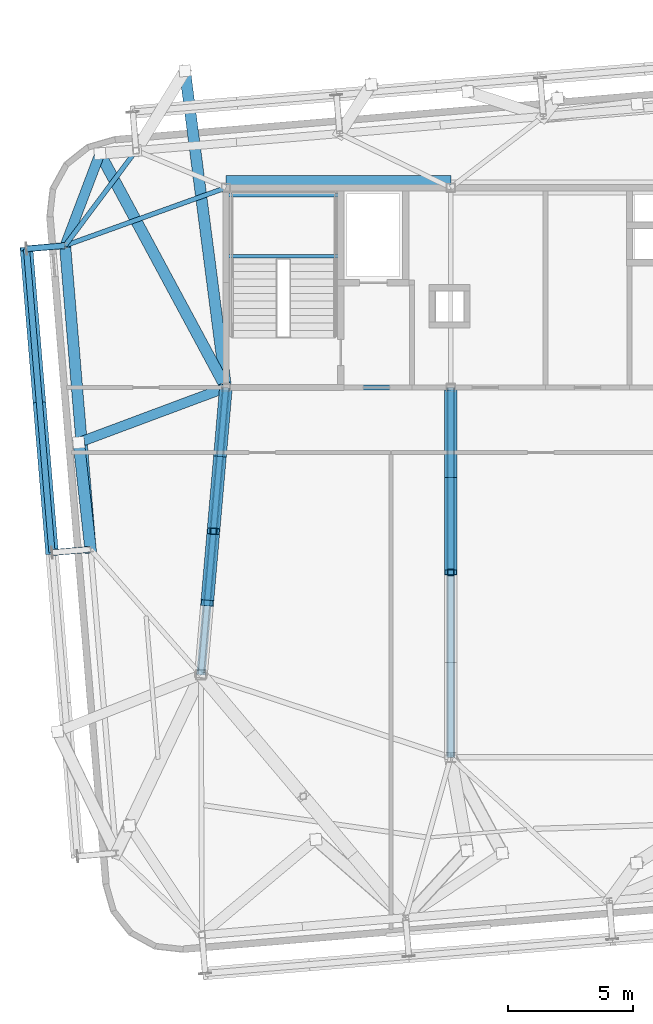
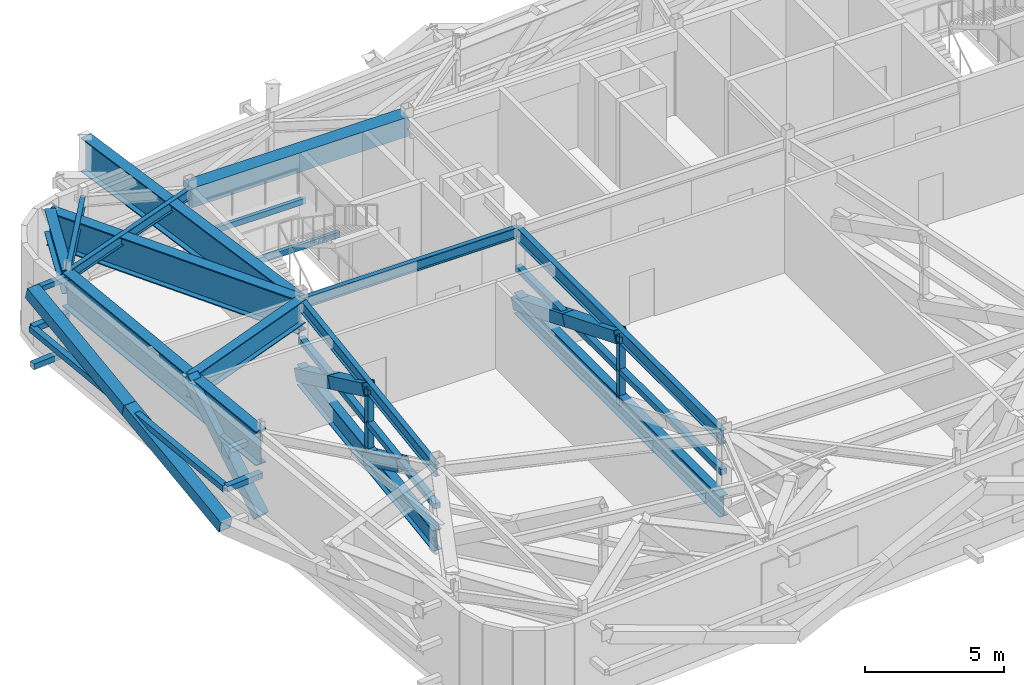
# One storey, part 9 of 26: 21 members, 13 beams.
"""IFC4 building model written with IfcOpenShell, lengths in metres."""

from ifc_helpers import new_model, si_unit, direction, frame, origin, origin_2d, place, context, subcontext, project, spatial, rectangle, hollow_rectangle, i_section, extrude, source, transform, mapped, material, material_profile, profile_set, type_object, element, save


model = new_model("IFC4")

# Units and contexts
model_context = context("Model", 3, precision=1e-05, world=origin(), true_north=direction((0.0, 1.0)))
body_context = subcontext(model_context, "Body", "Model", "MODEL_VIEW")
ifc_project = project(units=[si_unit("LENGTHUNIT", "METRE"), si_unit("AREAUNIT", "SQUARE_METRE"), si_unit("VOLUMEUNIT", "CUBIC_METRE"), si_unit("PLANEANGLEUNIT", "RADIAN"), si_unit("MASSUNIT", "GRAM", prefix="KILO")], contexts=[model_context])

# Site, building, storey
site_placement = place(None, origin())
site = spatial("IfcSite", under=ifc_project, at=site_placement, CompositionType="ELEMENT")
building_placement = place(site_placement, origin())
building = spatial("IfcBuilding", under=site, at=building_placement, Name="Taldren Reach Tower", CompositionType="ELEMENT")
storey_placement = place(building_placement, frame((0.0, 0.0, 207.199951171875)))
storey = spatial("IfcBuildingStorey", under=building, at=storey_placement, Name="L63", CompositionType="ELEMENT", Elevation=207.199951171875)

# Beams
ifc_material_1 = material(Name="Steel Gr 350 (350PLUS)", Category="steel")
ifc_material_profile_1 = material_profile(ifc_material_1, i_section(OverallWidth=0.19091796875, OverallDepth=0.4599609375, WebThickness=0.010009765625, FlangeThickness=0.01611328125, at=origin_2d()), Name="460UB82.1")
ifc_profile_set_1 = profile_set([ifc_material_profile_1], Name="Steel Gr 350 (350PLUS)")
beam_type_1 = type_object("IfcBeamType", Name="BM-UB460A", PredefinedType="BEAM", material=ifc_profile_set_1)
shared_shape_1 = source(origin(), body_context, "Body", "SweptSolid", [
    extrude(i_section(OverallWidth=0.19091796875, OverallDepth=0.4599609375, WebThickness=0.010009765625, FlangeThickness=0.01611328125, at=origin_2d()), origin(), (0.0, 0.0, 1.0), 9.0),
])
beam_1_placement = place(storey_placement, frame((19.0, 24.0, 3.550048828125), z_axis=(1.0, 0.0, 0.0), x_axis=(0.0, 1.0, 0.0)))
element("IfcBeam", 1, at=beam_1_placement, inside=storey, type_object=beam_type_1, Name="Core-spine girder L63-SP01", PredefinedType="BEAM", context=body_context, shape_type="MappedRepresentation", body=[
    mapped(shared_shape_1, transform((0.0, 0.0, 0.0), scale=1.0)),
])
ifc_material_2 = material(Name="Concrete S80 (80 MPa)", Category="concrete")
ifc_material_profile_2 = material_profile(ifc_material_2, rectangle(XDim=0.60009765625, YDim=0.85009765625, at=origin_2d()), Name="RC-CB600x850")
ifc_profile_set_2 = profile_set([ifc_material_profile_2], Name="Concrete S80 (80 MPa)")
beam_type_2 = type_object("IfcBeamType", Name="BM-RCCB850", PredefinedType="BEAM", material=ifc_profile_set_2)
shared_shape_2 = source(origin(), body_context, "Body", "SweptSolid", [
    extrude(rectangle(XDim=0.60009765625, YDim=0.85009765625, at=origin_2d()), origin(), (0.0, 0.0, 1.0), 9.0),
])
beam_2_placement = place(storey_placement, frame((19.0, 32.179931640625, 3.35498046875), z_axis=(1.0, 0.0, 0.0), x_axis=(0.0, 1.0, 0.0)))
element("IfcBeam", 2, at=beam_2_placement, inside=storey, type_object=beam_type_2, Name="Core-spine girder L63-SP04", PredefinedType="BEAM", context=body_context, shape_type="MappedRepresentation", body=[
    mapped(shared_shape_2, transform((0.0, 0.0, 0.0), scale=1.0)),
])
ifc_material_profile_3 = material_profile(ifc_material_1, i_section(OverallWidth=0.208984375, OverallDepth=0.532958984375, WebThickness=0.01025390625, FlangeThickness=0.015625, at=origin_2d()), Name="530UB92.4")
ifc_profile_set_3 = profile_set([ifc_material_profile_3], Name="Steel Gr 350 (350PLUS)")
beam_type_3 = type_object("IfcBeamType", Name="BM-UB530A", PredefinedType="BEAM", material=ifc_profile_set_3)
shared_shape_3 = source(origin(), body_context, "Body", "SweptSolid", [
    extrude(i_section(OverallWidth=0.208984375, OverallDepth=0.532958984375, WebThickness=0.01025390625, FlangeThickness=0.015625, at=origin_2d()), origin(), (0.0, 0.0, 1.0), 11.54345703125),
])
beam_3_placement = place(storey_placement, frame((19.0, 24.0, 3.513427734375), z_axis=(-0.086629616365, -0.996240588196, 0.0), x_axis=(0.996240588196, -0.086629616365, 0.0)))
element("IfcBeam", 3, at=beam_3_placement, inside=storey, type_object=beam_type_3, Name="Core-spine girder L63-SP09", PredefinedType="BEAM", context=body_context, shape_type="MappedRepresentation", body=[
    mapped(shared_shape_3, transform((0.0, 0.0, 0.0), scale=1.0)),
])
ifc_material_profile_4 = material_profile(ifc_material_1, i_section(OverallWidth=0.22802734375, OverallDepth=0.60205078125, WebThickness=0.010498046875, FlangeThickness=0.014892578125, at=origin_2d()), Name="610UB101")
ifc_profile_set_4 = profile_set([ifc_material_profile_4], Name="Steel Gr 350 (350PLUS)")
beam_type_4 = type_object("IfcBeamType", Name="BM-UB610B", PredefinedType="BEAM", material=ifc_profile_set_4)
shared_shape_4 = source(origin(), body_context, "Body", "SweptSolid", [
    extrude(i_section(OverallWidth=0.22802734375, OverallDepth=0.60205078125, WebThickness=0.010498046875, FlangeThickness=0.014892578125, at=origin_2d()), origin(), (0.0, 0.0, 1.0), 14.800048828125),
])
beam_4_placement = place(storey_placement, frame((28.0, 24.0, 3.47900390625), z_axis=(0.0, -1.0, 0.0), x_axis=(1.0, 0.0, 0.0)))
element("IfcBeam", 4, at=beam_4_placement, inside=storey, type_object=beam_type_4, Name="Core-spine girder L63-SP14", PredefinedType="BEAM", context=body_context, shape_type="MappedRepresentation", body=[
    mapped(shared_shape_4, transform((0.0, 0.0, 0.0), scale=1.0)),
])

# Members
ifc_material_profile_5 = material_profile(ifc_material_1, i_section(OverallWidth=0.35009765625, OverallDepth=0.916015625, WebThickness=0.013916015625, FlangeThickness=0.028076171875, at=origin_2d()), Name="900WB257")
ifc_profile_set_5 = profile_set([ifc_material_profile_5], Name="Steel Gr 350 (350PLUS)")
member_type_1 = type_object("IfcMemberType", Name="MB-CH900", PredefinedType="CHORD", material=ifc_profile_set_5)
shared_shape_5 = source(origin(), body_context, "Body", "SweptSolid", [
    extrude(i_section(OverallWidth=0.35009765625, OverallDepth=0.916015625, WebThickness=0.013916015625, FlangeThickness=0.028076171875, at=origin_2d()), origin(), (0.0, 0.0, 1.0), 11.54345703125),
])
member_1_placement = place(storey_placement, frame((19.0, 24.0, 0.449951171875), z_axis=(-0.086629616365, -0.996240588196, 0.0), x_axis=(0.996240588196, -0.086629616365, 0.0)))
element("IfcMember", 5, at=member_1_placement, inside=storey, type_object=member_type_1, Name="Outrigger Transfer Truss Bottom Chord OT-W1 L63", PredefinedType="CHORD", context=body_context, shape_type="MappedRepresentation", body=[
    mapped(shared_shape_5, transform((0.0, 0.0, 0.0), scale=1.0)),
])
ifc_material_3 = material(Name="Steel Gr 350 (C350L0)", Category="steel")
ifc_material_profile_6 = material_profile(ifc_material_3, hollow_rectangle(XDim=0.25, YDim=0.25, WallThickness=0.010009765625, at=origin_2d()), Name="250x250x10.0SHS")
ifc_profile_set_6 = profile_set([ifc_material_profile_6], Name="Steel Gr 350 (C350L0)")
member_type_2 = type_object("IfcMemberType", Name="MB-POST250", PredefinedType="POST", material=ifc_profile_set_6)
shared_shape_6 = source(origin(), body_context, "Body", "SweptSolid", [
    extrude(hollow_rectangle(XDim=0.25, YDim=0.25, WallThickness=0.010009765625, at=origin_2d()), origin(), (0.0, 0.0, 1.0), 11.54345703125),
])
member_2_placement = place(storey_placement, frame((19.0, 24.0, 1.955078125), z_axis=(-0.086629616365, -0.996240588196, 0.0), x_axis=(0.996240588196, -0.086629616365, 0.0)))
element("IfcMember", 6, at=member_2_placement, inside=storey, type_object=member_type_2, Name="Outrigger Transfer Truss Mid Chord OT-W1 L63", PredefinedType="POST", context=body_context, shape_type="MappedRepresentation", body=[
    mapped(shared_shape_6, transform((0.0, 0.0, 0.0), scale=1.0)),
])
shared_shape_7 = source(origin(), body_context, "Body", "SweptSolid", [
    extrude(hollow_rectangle(XDim=0.25, YDim=0.25, WallThickness=0.010009765625, at=origin_2d()), origin(), (0.0, 0.0, 1.0), 1.5048828125),
])
for number, where, z_axis, x_axis, name in (
    (7, (18.5, 18.25, 1.955078125), (0.0, 0.0, 1.0), (1.0, 0.0, 0.0), "Outrigger Transfer Truss Vertical Post OT-W1 L63"),
    (8, (28.0, 16.60009765625, 1.955078125), (0.0, 0.0, 1.0), (1.0, 0.0, 0.0), "Outrigger Transfer Truss Vertical Post OT-M1 L63"),
):
    element("IfcMember", number, at=place(storey_placement, frame(where, z_axis=z_axis, x_axis=x_axis)), inside=storey, type_object=member_type_2, Name=name, PredefinedType="POST", context=body_context, shape_type="MappedRepresentation", body=[
        mapped(shared_shape_7, transform((0.0, 0.0, 0.0), scale=1.0)),
    ])
shared_shape_8 = source(origin(), body_context, "Body", "SweptSolid", [
    extrude(hollow_rectangle(XDim=0.25, YDim=0.25, WallThickness=0.010009765625, at=origin_2d()), origin(), (0.0, 0.0, 1.0), 1.505126953125),
])
for number, where, z_axis, x_axis, name in (
    (9, (18.5, 18.25, 0.449951171875), (0.0, 0.0, 1.0), (1.0, 0.0, 0.0), "Outrigger Transfer Truss Vertical Post OT-W1 L63"),
    (10, (28.0, 16.60009765625, 0.449951171875), (0.0, 0.0, 1.0), (1.0, 0.0, 0.0), "Outrigger Transfer Truss Vertical Post OT-M1 L63"),
):
    element("IfcMember", number, at=place(storey_placement, frame(where, z_axis=z_axis, x_axis=x_axis)), inside=storey, type_object=member_type_2, Name=name, PredefinedType="POST", context=body_context, shape_type="MappedRepresentation", body=[
        mapped(shared_shape_8, transform((0.0, 0.0, 0.0), scale=1.0)),
    ])
ifc_material_4 = material(Name="Steel Gr 450 (C450L0)", Category="steel")
ifc_material_profile_7 = material_profile(ifc_material_4, hollow_rectangle(XDim=0.510009765625, YDim=0.510009765625, WallThickness=0.02001953125, at=origin_2d()), Name="510x510x20.0SHS")
ifc_profile_set_7 = profile_set([ifc_material_profile_7], Name="Steel Gr 450 (C450L0)")
member_type_3 = type_object("IfcMemberType", Name="MB-EXO508", PredefinedType="BRACE", material=ifc_profile_set_7)
shared_shape_9 = source(origin(), body_context, "Body", "SweptSolid", [
    extrude(hollow_rectangle(XDim=0.510009765625, YDim=0.510009765625, WallThickness=0.02001953125, at=origin_2d()), origin(), (0.0, 0.0, 1.0), 3.254638671875),
])
member_3_placement = place(storey_placement, frame((18.75, 21.125, 1.955078125), z_axis=(-0.076812991328, -0.883349400268, 0.462378201703), x_axis=(0.996240588196, -0.086629616365, 0.0)))
element("IfcMember", 11, at=member_3_placement, inside=storey, type_object=member_type_3, Name="Outrigger Transfer Truss Diagonal OT-W1A L63", PredefinedType="BRACE", context=body_context, shape_type="MappedRepresentation", body=[
    mapped(shared_shape_9, transform((0.0, 0.0, 0.0), scale=1.0)),
])
shared_shape_10 = source(origin(), body_context, "Body", "SweptSolid", [
    extrude(hollow_rectangle(XDim=0.510009765625, YDim=0.510009765625, WallThickness=0.02001953125, at=origin_2d()), origin(), (0.0, 0.0, 1.0), 3.2548828125),
])
for number, where, z_axis, x_axis, name in (
    (12, (19.0, 24.0, 0.449951171875), (-0.076810327051, -0.883318761082, 0.462437174089), (0.996240588196, -0.086629616365, 0.0), "Outrigger Transfer Truss Diagonal OT-W1A L63"),
    (13, (18.5, 18.25, 0.449951171875), (-0.076810327051, -0.883318761082, 0.462437174089), (0.996240588196, -0.086629616365, 0.0), "Outrigger Transfer Truss Diagonal OT-W1B L63"),
):
    element("IfcMember", number, at=place(storey_placement, frame(where, z_axis=z_axis, x_axis=x_axis)), inside=storey, type_object=member_type_3, Name=name, PredefinedType="BRACE", context=body_context, shape_type="MappedRepresentation", body=[
        mapped(shared_shape_10, transform((0.0, 0.0, 0.0), scale=1.0)),
    ])
shared_shape_11 = source(origin(), body_context, "Body", "SweptSolid", [
    extrude(i_section(OverallWidth=0.35009765625, OverallDepth=0.916015625, WebThickness=0.013916015625, FlangeThickness=0.028076171875, at=origin_2d()), origin(), (0.0, 0.0, 1.0), 14.800048828125),
])
member_4_placement = place(storey_placement, frame((28.0, 24.0, 0.449951171875), z_axis=(0.0, -1.0, 0.0), x_axis=(1.0, 0.0, 0.0)))
element("IfcMember", 14, at=member_4_placement, inside=storey, type_object=member_type_1, Name="Outrigger Transfer Truss Bottom Chord OT-M1 L63", PredefinedType="CHORD", context=body_context, shape_type="MappedRepresentation", body=[
    mapped(shared_shape_11, transform((0.0, 0.0, 0.0), scale=1.0)),
])
shared_shape_12 = source(origin(), body_context, "Body", "SweptSolid", [
    extrude(hollow_rectangle(XDim=0.25, YDim=0.25, WallThickness=0.010009765625, at=origin_2d()), origin(), (0.0, 0.0, 1.0), 14.800048828125),
])
member_5_placement = place(storey_placement, frame((28.0, 24.0, 1.955078125), z_axis=(0.0, -1.0, 0.0), x_axis=(1.0, 0.0, 0.0)))
element("IfcMember", 15, at=member_5_placement, inside=storey, type_object=member_type_2, Name="Outrigger Transfer Truss Mid Chord OT-M1 L63", PredefinedType="POST", context=body_context, shape_type="MappedRepresentation", body=[
    mapped(shared_shape_12, transform((0.0, 0.0, 0.0), scale=1.0)),
])
shared_shape_13 = source(origin(), body_context, "Body", "SweptSolid", [
    extrude(hollow_rectangle(XDim=0.510009765625, YDim=0.510009765625, WallThickness=0.02001953125, at=origin_2d()), origin(), (0.0, 0.0, 1.0), 3.994384765625),
])
for number, where, z_axis, x_axis, name in (
    (16, (28.0, 24.0, 0.449951171875), (0.0, -0.926289977248, 0.376811462206), (1.0, 0.0, 0.0), "Outrigger Transfer Truss Diagonal OT-M1A L63"),
    (17, (28.0, 20.300048828125, 1.955078125), (0.0, -0.926311309754, 0.376759017705), (1.0, 0.0, 0.0), "Outrigger Transfer Truss Diagonal OT-M1A L63"),
):
    element("IfcMember", number, at=place(storey_placement, frame(where, z_axis=z_axis, x_axis=x_axis)), inside=storey, type_object=member_type_3, Name=name, PredefinedType="BRACE", context=body_context, shape_type="MappedRepresentation", body=[
        mapped(shared_shape_13, transform((0.0, 0.0, 0.0), scale=1.0)),
    ])

# Beams
ifc_material_profile_8 = material_profile(ifc_material_1, i_section(OverallWidth=0.18994140625, OverallDepth=0.4541015625, WebThickness=0.008544921875, FlangeThickness=0.0126953125, at=origin_2d()), Name="460UB67.1")
ifc_profile_set_8 = profile_set([ifc_material_profile_8], Name="Steel Gr 350 (350PLUS)")
beam_type_5 = type_object("IfcBeamType", Name="SP-UB460B", PredefinedType="SPANDREL", material=ifc_profile_set_8)
shared_shape_14 = source(origin(), body_context, "Body", "SweptSolid", [
    extrude(i_section(OverallWidth=0.18994140625, OverallDepth=0.4541015625, WebThickness=0.008544921875, FlangeThickness=0.0126953125, at=origin_2d()), origin(), (0.0, 0.0, 1.0), 4.74609375),
])
beam_5_placement = place(storey_placement, frame((15.40380859375, 33.483642578125, 3.552978515625), z_axis=(-0.598764719121, -0.800924972226, 0.0), x_axis=(0.800924972226, -0.598764719121, 0.0)))
element("IfcBeam", 18, at=beam_5_placement, inside=storey, type_object=beam_type_5, Name="Perimeter spandrel B4 N1-W3 L63", PredefinedType="SPANDREL", context=body_context, shape_type="MappedRepresentation", body=[
    mapped(shared_shape_14, transform((0.0, 0.0, 0.0), scale=1.0)),
])
shared_shape_15 = source(origin(), body_context, "Body", "SweptSolid", [
    extrude(i_section(OverallWidth=0.19091796875, OverallDepth=0.4599609375, WebThickness=0.010009765625, FlangeThickness=0.01611328125, at=origin_2d()), origin(), (0.0, 0.0, 1.0), 6.842529296875),
])
beam_6_placement = place(storey_placement, frame((19.0, 32.0, 3.550048828125), z_axis=(-0.940889686088, -0.33871315093, 0.0), x_axis=(0.33871315093, -0.940889686088, 0.0)))
element("IfcBeam", 19, at=beam_6_placement, inside=storey, type_object=beam_type_1, Name="Primary floor girder B4-W3 L63", PredefinedType="BEAM", context=body_context, shape_type="MappedRepresentation", body=[
    mapped(shared_shape_15, transform((0.0, 0.0, 0.0), scale=1.0)),
])

# Members
ifc_material_profile_9 = material_profile(ifc_material_4, hollow_rectangle(XDim=0.219970703125, YDim=0.219970703125, WallThickness=0.00830078125, at=origin_2d()), Name="220x220x8.2SHS")
ifc_profile_set_9 = profile_set([ifc_material_profile_9], Name="Steel Gr 450 (C450L0)")
member_type_4 = type_object("IfcMemberType", Name="MB-TIE219", PredefinedType="STRUT", material=ifc_profile_set_9)
shared_shape_16 = source(origin(), body_context, "Body", "SweptSolid", [
    extrude(hollow_rectangle(XDim=0.219970703125, YDim=0.219970703125, WallThickness=0.00830078125, at=origin_2d()), origin(), (0.0, 0.0, 1.0), 1.54541015625),
])
member_6_placement = place(storey_placement, frame((12.557373046875, 29.68212890625, 3.5), z_axis=(-0.99648887425, -0.083725285883, 0.0), x_axis=(0.083725285883, -0.99648887425, 0.0)))
element("IfcMember", 20, at=member_6_placement, inside=storey, type_object=member_type_4, Name="Exoskeleton diaphragm tie strut B4-W3 L63", PredefinedType="STRUT", context=body_context, shape_type="MappedRepresentation", body=[
    mapped(shared_shape_16, transform((0.0, 0.0, 0.0), scale=1.0)),
])
shared_shape_17 = source(origin(), body_context, "Body", "SweptSolid", [
    extrude(hollow_rectangle(XDim=0.25, YDim=0.25, WallThickness=0.010009765625, at=origin_2d()), origin(), (0.0, 0.0, 1.0), 12.199951171875),
])
member_7_placement = place(storey_placement, frame((12.0380859375, 17.3955078125, 1.860107421875), z_axis=(-0.083668166953, 0.99649367175, 0.0), x_axis=(-0.99649367175, -0.083668166953, 0.0)))
element("IfcMember", 21, at=member_7_placement, inside=storey, type_object=member_type_2, Name="Exoskeleton mid-height ring chord B4-W2 L63", PredefinedType="POST", context=body_context, shape_type="MappedRepresentation", body=[
    mapped(shared_shape_17, transform((0.0, 0.0, 0.0), scale=1.0)),
])
shared_shape_18 = source(origin(), body_context, "Body", "SweptSolid", [
    extrude(hollow_rectangle(XDim=0.25, YDim=0.25, WallThickness=0.010009765625, at=origin_2d()), origin(), (0.0, 0.0, 1.0), 1.54541015625),
])
for number, where, z_axis, x_axis, name in (
    (22, (12.557373046875, 29.68212890625, 0.219970703125), (-0.99648887425, -0.083725285883, 0.0), (0.083725285883, -0.99648887425, 0.0), "Exoskeleton base diaphragm tie strut B4-W3 L63"),
    (23, (13.578125, 17.52490234375, 1.860107421875), (-0.99648887425, -0.083725285883, 0.0), (0.083725285883, -0.99648887425, 0.0), "Exoskeleton mid-tier diaphragm tie B4-W2 L63"),
    (24, (12.557373046875, 29.68212890625, 1.860107421875), (-0.99648887425, -0.083725285883, 0.0), (0.083725285883, -0.99648887425, 0.0), "Exoskeleton mid-tier diaphragm tie B4-W3 L63"),
):
    element("IfcMember", number, at=place(storey_placement, frame(where, z_axis=z_axis, x_axis=x_axis)), inside=storey, type_object=member_type_2, Name=name, PredefinedType="POST", context=body_context, shape_type="MappedRepresentation", body=[
        mapped(shared_shape_18, transform((0.0, 0.0, 0.0), scale=1.0)),
    ])

# Beams
ifc_material_profile_10 = material_profile(ifc_material_1, i_section(OverallWidth=0.449951171875, OverallDepth=1.5, WebThickness=0.02001953125, FlangeThickness=0.0439453125, at=origin_2d()), Name="1500WB550")
ifc_profile_set_10 = profile_set([ifc_material_profile_10], Name="Steel Gr 350 (350PLUS)")
beam_type_6 = type_object("IfcBeamType", Name="BM-PG1500", PredefinedType="BEAM", material=ifc_profile_set_10)
shared_shape_19 = source(origin(), body_context, "Body", "SweptSolid", [
    extrude(i_section(OverallWidth=0.449951171875, OverallDepth=1.5, WebThickness=0.02001953125, FlangeThickness=0.0439453125, at=origin_2d()), origin(), (0.0, 0.0, 1.0), 12.199951171875),
])
beam_7_placement = place(storey_placement, frame((12.56201171875, 29.682373046875, 3.030029296875), z_axis=(0.083668166953, -0.99649367175, 0.0), x_axis=(0.99649367175, 0.083668166953, 0.0)))
element("IfcBeam", 25, at=beam_7_placement, inside=storey, type_object=beam_type_6, Name="Belt Truss Transfer Girder TG-B5-W2A on L63", PredefinedType="SPANDREL", context=body_context, shape_type="MappedRepresentation", body=[
    mapped(shared_shape_19, transform((0.0, 0.0, 0.0), scale=1.0)),
])
shared_shape_20 = source(origin(), body_context, "Body", "SweptSolid", [
    extrude(i_section(OverallWidth=0.449951171875, OverallDepth=1.5, WebThickness=0.02001953125, FlangeThickness=0.0439453125, at=origin_2d()), origin(), (0.0, 0.0, 1.0), 12.78466796875),
])
beam_8_placement = place(storey_placement, frame((19.0, 24.0, 3.030029296875), z_axis=(-0.128290048474, 0.99173669059, 0.0), x_axis=(-0.99173669059, -0.128290048474, 0.0)))
element("IfcBeam", 26, at=beam_8_placement, inside=storey, type_object=beam_type_6, Name="Belt Truss Transfer Girder TG-B5-N1A on L63", PredefinedType="BEAM", context=body_context, shape_type="MappedRepresentation", body=[
    mapped(shared_shape_20, transform((0.0, 0.0, 0.0), scale=1.0)),
])

# Member
ifc_material_profile_11 = material_profile(ifc_material_4, hollow_rectangle(XDim=0.4599609375, YDim=0.4599609375, WallThickness=0.01611328125, at=origin_2d()), Name="460x460x16.0SHS")
ifc_profile_set_11 = profile_set([ifc_material_profile_11], Name="Steel Gr 450 (C450L0)")
member_type_5 = type_object("IfcMemberType", Name="MB-EXO457", PredefinedType="BRACE", material=ifc_profile_set_11)
shared_shape_21 = source(origin(), body_context, "Body", "SweptSolid", [
    extrude(hollow_rectangle(XDim=0.4599609375, YDim=0.4599609375, WallThickness=0.01611328125, at=origin_2d()), origin(), (0.0, 0.0, 1.0), 5.713134765625),
])
member_8_placement = place(storey_placement, frame((13.582763671875, 17.525146484375, 0.02001953125), z_axis=(-0.082988627492, 0.748307855822, 0.658139985582), x_axis=(-0.993906555442, -0.110225945444, 0.0)))
element("IfcMember", 27, at=member_8_placement, inside=storey, type_object=member_type_5, Name="Outrigger Belt Truss Transfer Strut TS-B5-W2 L63", PredefinedType="BRACE", context=body_context, shape_type="MappedRepresentation", body=[
    mapped(shared_shape_21, transform((0.0, 0.0, 0.0), scale=1.0)),
])

# Beams
ifc_material_profile_12 = material_profile(ifc_material_1, i_section(OverallWidth=0.39990234375, OverallDepth=1.02392578125, WebThickness=0.01611328125, FlangeThickness=0.031982421875, at=origin_2d()), Name="1000WB322")
ifc_profile_set_12 = profile_set([ifc_material_profile_12], Name="Steel Gr 350 (350PLUS)")
beam_type_7 = type_object("IfcBeamType", Name="BM-WB1000", PredefinedType="BEAM", material=ifc_profile_set_12)
shared_shape_22 = source(origin(), body_context, "Body", "SweptSolid", [
    extrude(i_section(OverallWidth=0.39990234375, OverallDepth=1.02392578125, WebThickness=0.01611328125, FlangeThickness=0.031982421875, at=origin_2d()), origin(), (0.0, 0.0, 1.0), 6.28857421875),
])
beam_9_placement = place(storey_placement, frame((19.0, 24.0, 3.26806640625), z_axis=(-0.936827605945, -0.349791418904, 0.0), x_axis=(0.349791418904, -0.936827605945, 0.0)))
element("IfcBeam", 28, at=beam_9_placement, inside=storey, type_object=beam_type_7, Name="Belt Truss Transfer Tie Girder TG-B5-W2B on L63", PredefinedType="BEAM", context=body_context, shape_type="MappedRepresentation", body=[
    mapped(shared_shape_22, transform((0.0, 0.0, 0.0), scale=1.0)),
])
shared_shape_23 = source(origin(), body_context, "Body", "SweptSolid", [
    extrude(i_section(OverallWidth=0.449951171875, OverallDepth=1.5, WebThickness=0.02001953125, FlangeThickness=0.0439453125, at=origin_2d()), origin(), (0.0, 0.0, 1.0), 10.6396484375),
])
beam_10_placement = place(storey_placement, frame((19.0, 24.0, 3.030029296875), z_axis=(-0.473868552091, 0.880595591256, 0.0), x_axis=(-0.880595591256, -0.473868552091, 0.0)))
element("IfcBeam", 29, at=beam_10_placement, inside=storey, type_object=beam_type_6, Name="Belt Truss Transfer Girder TG-B5-W3A on L63", PredefinedType="BEAM", context=body_context, shape_type="MappedRepresentation", body=[
    mapped(shared_shape_23, transform((0.0, 0.0, 0.0), scale=1.0)),
])
shared_shape_24 = source(origin(), body_context, "Body", "SweptSolid", [
    extrude(i_section(OverallWidth=0.39990234375, OverallDepth=1.02392578125, WebThickness=0.01611328125, FlangeThickness=0.031982421875, at=origin_2d()), origin(), (0.0, 0.0, 1.0), 3.9423828125),
])
beam_11_placement = place(storey_placement, frame((12.56201171875, 29.682373046875, 3.26806640625), z_axis=(0.354168801189, 0.935181511935, 0.0), x_axis=(-0.935181511935, 0.354168801189, 0.0)))
element("IfcBeam", 30, at=beam_11_placement, inside=storey, type_object=beam_type_7, Name="Belt Truss Transfer Tie Girder TG-B5-W3B on L63", PredefinedType="BEAM", context=body_context, shape_type="MappedRepresentation", body=[
    mapped(shared_shape_24, transform((0.0, 0.0, 0.0), scale=1.0)),
])

# Members
shared_shape_25 = source(origin(), body_context, "Body", "SweptSolid", [
    extrude(hollow_rectangle(XDim=0.510009765625, YDim=0.510009765625, WallThickness=0.02001953125, at=origin_2d()), origin(), (0.0, 0.0, 1.0), 6.316650390625),
])
for number, where, z_axis, x_axis, name in (
    (31, (12.0380859375, 17.3955078125, 0.219970703125), (-0.080779317428, 0.962317437955, 0.259653327503), (-0.996495340012, -0.08364829547, 0.0), "Exoskeleton Diagrid Brace B4-W2 L63"),
    (32, (11.52783203125, 23.47412109375, 1.860107421875), (-0.080818526443, 0.962324089617, 0.259616471602), (-0.996492003099, -0.083688038336, 0.0), "Exoskeleton Diagrid Brace B4-W2 L63"),
):
    element("IfcMember", number, at=place(storey_placement, frame(where, z_axis=z_axis, x_axis=x_axis)), inside=storey, type_object=member_type_3, Name=name, PredefinedType="BRACE", context=body_context, shape_type="MappedRepresentation", body=[
        mapped(shared_shape_25, transform((0.0, 0.0, 0.0), scale=1.0)),
    ])

# Beams
ifc_material_profile_13 = material_profile(ifc_material_3, hollow_rectangle(XDim=0.14990234375, YDim=0.25, WallThickness=0.009033203125, at=origin_2d()), Name="250x150x9.0RHS")
ifc_profile_set_13 = profile_set([ifc_material_profile_13], Name="Steel Gr 350 (C350L0)")
beam_type_8 = type_object("IfcBeamType", Name="LN-RHS250", PredefinedType="LINTEL", material=ifc_profile_set_13)
shared_shape_26 = source(origin(), body_context, "Body", "SweptSolid", [
    extrude(hollow_rectangle(XDim=0.14990234375, YDim=0.25, WallThickness=0.009033203125, at=origin_2d()), origin(), (0.0, 0.0, 1.0), 4.60009765625),
])
for number, where, z_axis, x_axis, name in (
    (33, (19.0, 29.2548828125, 1.795166015625), (1.0, 0.0, 0.0), (0.0, 1.0, 0.0), "Stair half-landing support beam ST1-L63-1"),
    (34, (19.0, 31.699951171875, 1.795166015625), (1.0, 0.0, 0.0), (0.0, 1.0, 0.0), "Stair half-landing support beam ST1-L63-2"),
):
    element("IfcBeam", number, at=place(storey_placement, frame(where, z_axis=z_axis, x_axis=x_axis)), inside=storey, type_object=beam_type_8, Name=name, PredefinedType="LINTEL", context=body_context, shape_type="MappedRepresentation", body=[
        mapped(shared_shape_26, transform((0.0, 0.0, 0.0), scale=1.0)),
    ])

save(model, "model.ifc")
